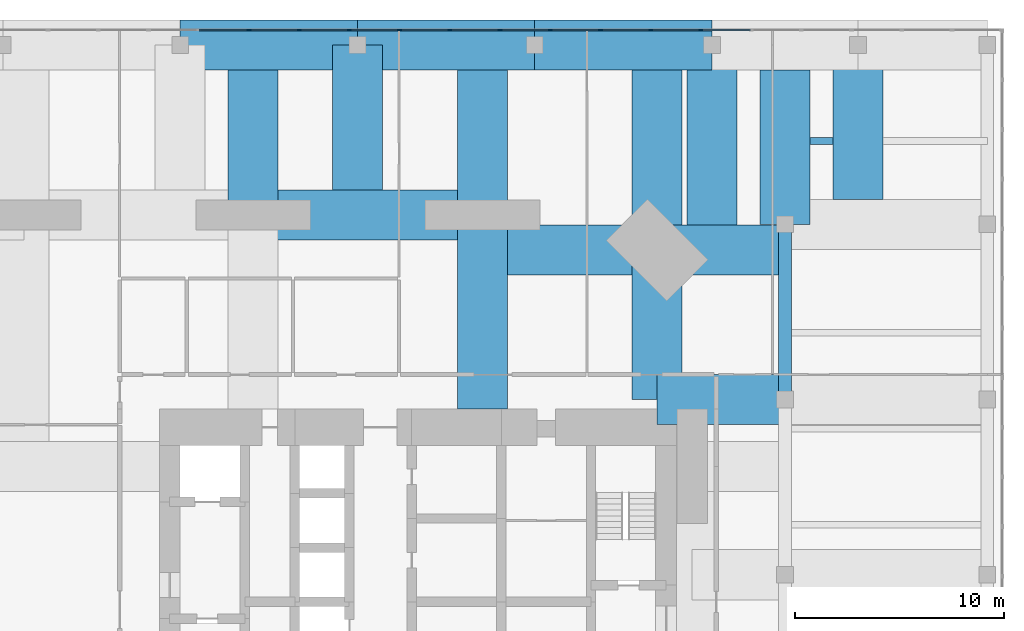
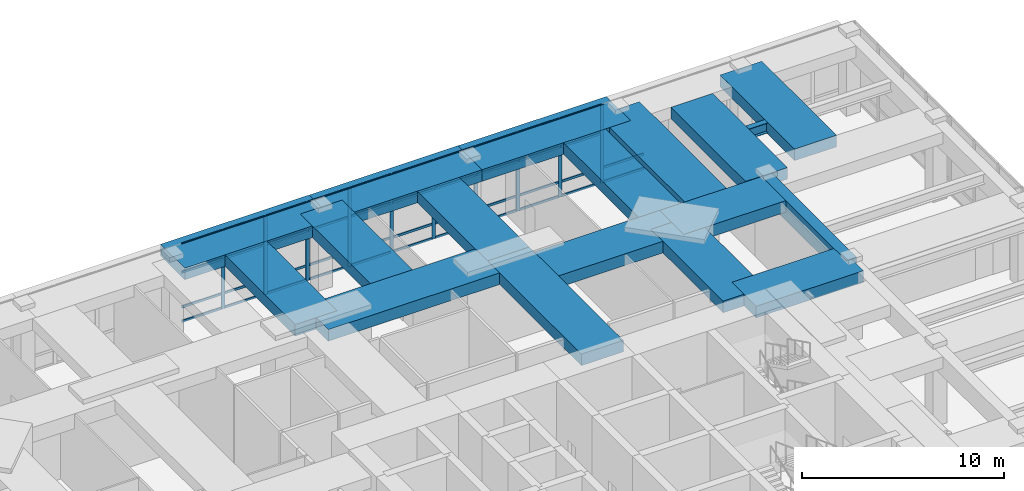
# One storey, part 9 of 24: 52 members, 18 beams, 1 element without a shape of its own.
"""IFC4 building model written with IfcOpenShell, lengths in metres."""

import ifcopenshell
import ifcopenshell.guid

model = None  # the IFC model being written
_history = None  # IfcOwnerHistory: only IFC2X3 demands one
_inside = {}  # id of a spatial element -> (the spatial element, [elements in it])
_under = {}  # id of a project, library or spatial element -> (it, [spatial elements below it])
_declared = {}  # id of a project -> (the project, [libraries it declares])
_typed = {}  # id of a type object -> (the type object, [elements of that type])
_made_of = {}  # id of a material, layer set ... -> (it, [elements and type objects made of it])


def new_model(schema):
    """Start an empty IFC model of exactly this schema.

    Asked for "IFC4X3", IfcOpenShell would pick the latest addendum, in which some entities
    have other attributes; the version numbers below select the first issue.
    IFC2X3 requires an IfcOwnerHistory on every rooted entity: one is made here for all.
    """
    global model, _history
    if schema == "IFC4X3":
        model = ifcopenshell.file(schema_version=(4, 3, 0, 0))
    else:
        model = ifcopenshell.file(schema=schema)
    _inside.clear()
    _under.clear()
    _declared.clear()
    _typed.clear()
    _made_of.clear()
    _history = None
    if model.schema == "IFC2X3":
        org = make("IfcOrganization", Name="unknown")
        user = make(
            "IfcPersonAndOrganization",
            ThePerson=make("IfcPerson", FamilyName="unknown"),
            TheOrganization=org,
        )
        app = make(
            "IfcApplication",
            ApplicationDeveloper=org,
            Version="unknown",
            ApplicationFullName="unknown",
            ApplicationIdentifier="unknown",
        )
        _history = make(
            "IfcOwnerHistory",
            OwningUser=user,
            OwningApplication=app,
            ChangeAction="ADDED",
            CreationDate=0,
        )
    return model


def make(cls, **values):
    """One entity of the class cls with the attributes given. An attribute that is None is left unset."""
    return model.create_entity(
        cls, **{name: value for name, value in values.items() if value is not None}
    )


def rooted(cls, **values):
    """An entity with a GlobalId (a new one), such as an element, a storey or a relation."""
    return make(cls, GlobalId=ifcopenshell.guid.new(), OwnerHistory=_history, **values)


def si_unit(unit_type, name, prefix=None):
    """IfcSIUnit, for example si_unit("LENGTHUNIT", "METRE", prefix="MILLI")."""
    return make("IfcSIUnit", UnitType=unit_type, Prefix=prefix, Name=name)


def assignment(units):
    """IfcUnitAssignment: the units of a project."""
    return None if units is None else make("IfcUnitAssignment", Units=units)


def point(xyz):
    """IfcCartesianPoint."""
    return None if xyz is None else make("IfcCartesianPoint", Coordinates=xyz)


def direction(xyz):
    """IfcDirection."""
    return None if xyz is None else make("IfcDirection", DirectionRatios=xyz)


def frame(location, z_axis=None, x_axis=None):
    """IfcAxis2Placement3D, a coordinate frame: its origin and axes. An axis left out is left unset."""
    return make(
        "IfcAxis2Placement3D",
        Location=point(location),
        Axis=direction(z_axis),
        RefDirection=direction(x_axis),
    )


def frame_2d(location, x_axis=None):
    """IfcAxis2Placement2D, a coordinate frame in the plane: its origin and x axis."""
    return make(
        "IfcAxis2Placement2D", Location=point(location), RefDirection=direction(x_axis)
    )


def origin():
    """The frame at (0, 0, 0) with its axes left unset."""
    return frame((0.0, 0.0, 0.0))


def origin_2d():
    """The frame at (0, 0) in the plane with its x axis left unset."""
    return frame_2d((0.0, 0.0))


def place(relative_to, where):
    """IfcLocalPlacement: puts the frame where relative to a parent placement (None: the world)."""
    return make(
        "IfcLocalPlacement", PlacementRelTo=relative_to, RelativePlacement=where
    )


def context(
    kind, dimensions, precision=None, world=None, true_north=None, identifier=None
):
    """IfcGeometricRepresentationContext, for example the 3D "Model" context."""
    return make(
        "IfcGeometricRepresentationContext",
        ContextIdentifier=identifier,
        ContextType=kind,
        CoordinateSpaceDimension=dimensions,
        Precision=precision,
        WorldCoordinateSystem=world,
        TrueNorth=true_north,
    )


def subcontext(parent, identifier, kind, view, scale=None):
    """IfcGeometricRepresentationSubContext, for example "Body" below "Model"."""
    return make(
        "IfcGeometricRepresentationSubContext",
        ContextIdentifier=identifier,
        ContextType=kind,
        ParentContext=parent,
        TargetScale=scale,
        TargetView=view,
    )


def project(units=None, contexts=None):
    """IfcProject with its units and contexts."""
    return rooted(
        "IfcProject",
        Name="project",
        RepresentationContexts=contexts,
        UnitsInContext=assignment(units),
    )


def spatial(cls, under=None, at=None, **own):
    """A site, building, storey or space (cls), placed at a placement, below another one or the project."""
    s = rooted(cls, ObjectPlacement=at, **own)
    if under is not None:
        _under.setdefault(under.id(), (under, []))[1].append(s)
    return s


def profile(cls, at=None, kind="AREA", **sizes):
    """A parametric profile (cls). Its sizes go by their IFC names, for example OverallWidth=200.0."""
    return make(cls, ProfileType=kind, Position=at, **sizes)


def rectangle(**sizes):
    """IfcRectangleProfileDef."""
    return profile("IfcRectangleProfileDef", **sizes)


def i_section(**sizes):
    """IfcIShapeProfileDef."""
    return profile("IfcIShapeProfileDef", **sizes)


def extrude(swept, where, along, depth):
    """IfcExtrudedAreaSolid: the profile swept, set in the frame where, extruded along a direction by depth."""
    return make(
        "IfcExtrudedAreaSolid",
        SweptArea=swept,
        Position=where,
        ExtrudedDirection=direction(along),
        Depth=depth,
    )


def shape(context_of_items, identifier, shape_type, items):
    """IfcShapeRepresentation: the items that make up one representation, for example the "Body"."""
    return make(
        "IfcShapeRepresentation",
        ContextOfItems=context_of_items,
        RepresentationIdentifier=identifier,
        RepresentationType=shape_type,
        Items=items,
    )


def material(Name=None, Category=None):
    """IfcMaterial."""
    return make("IfcMaterial", Name=Name, Category=Category)


def material_profile(
    of_material, cross_section, Name=None, Category=None, Priority=None
):
    """IfcMaterialProfile: a cross section and its material."""
    return make(
        "IfcMaterialProfile",
        Name=Name,
        Material=of_material,
        Profile=cross_section,
        Priority=Priority,
        Category=Category,
    )


def profile_set(profiles, Name=None, composite=None):
    """IfcMaterialProfileSet."""
    return make(
        "IfcMaterialProfileSet",
        Name=Name,
        MaterialProfiles=profiles,
        CompositeProfile=composite,
    )


def made_of(thing, what):
    """Note that an element or type object is made of a material, layer set ...; save() writes the relation."""
    if what is not None:
        _made_of.setdefault(what.id(), (what, []))[1].append(thing)
    return thing


def type_object(cls, material=None, **own):
    """A type object (cls), such as IfcWallType, which elements share."""
    return made_of(rooted(cls, **own), material)


def element(
    cls,
    number,
    at=None,
    inside=None,
    cuts=None,
    type_object=None,
    material=None,
    context=None,
    identifier="Body",
    shape_type=None,
    held_by="IfcProductDefinitionShape",
    body=None,
    shapes=None,
    **own,
):
    """One element of the class cls, such as IfcWall. Its Tag is "e" and its number.

    at: its placement. inside: the storey or other place that contains it. cuts: it is an
    opening in that element (IfcRelVoidsElement). A single representation is given by context,
    identifier, shape_type and body (its items); several are given by shapes. held_by: the class
    of the entity that holds the representations. save() writes the other relations.
    """
    e = rooted(cls, Tag="e%d" % number, ObjectPlacement=at, **own)
    if body is not None:
        shapes = [shape(context, identifier, shape_type, body)]
    if shapes is not None:
        e.Representation = make(held_by, Representations=shapes)
    if inside is not None:
        _inside.setdefault(inside.id(), (inside, []))[1].append(e)
    if cuts is not None:
        rooted(
            "IfcRelVoidsElement", RelatingBuildingElement=cuts, RelatedOpeningElement=e
        )
    if type_object is not None:
        _typed.setdefault(type_object.id(), (type_object, []))[1].append(e)
    return made_of(e, material)


def aggregate(whole, parts):
    """IfcRelAggregates: a whole, such as a stair, and the parts it consists of."""
    return rooted("IfcRelAggregates", RelatingObject=whole, RelatedObjects=parts)


def save(model, path):
    """Write the relations noted so far, then the file.

    IfcRelAggregates (storeys below a building ...), IfcRelContainedInSpatialStructure (elements
    in a storey), IfcRelDefinesByType, IfcRelAssociatesMaterial and IfcRelDeclares: one each for
    every whole, place, type object, material and project.
    """
    for whole, parts in _under.values():
        aggregate(whole, parts)
    for where, things in _inside.values():
        rooted(
            "IfcRelContainedInSpatialStructure",
            RelatedElements=things,
            RelatingStructure=where,
        )
    for kind, things in _typed.values():
        rooted("IfcRelDefinesByType", RelatedObjects=things, RelatingType=kind)
    for what, things in _made_of.values():
        rooted("IfcRelAssociatesMaterial", RelatedObjects=things, RelatingMaterial=what)
    for by, libraries in _declared.values():
        rooted("IfcRelDeclares", RelatingContext=by, RelatedDefinitions=libraries)
    model.write(path)


model = new_model("IFC4")

# Units and contexts
model_context = context("Model", 3, precision=1e-05, world=origin(), true_north=direction((0.0, 1.0)))
body_context = subcontext(model_context, "Body", "Model", "MODEL_VIEW")
ifc_project = project(units=[si_unit("LENGTHUNIT", "METRE"), si_unit("AREAUNIT", "SQUARE_METRE"), si_unit("VOLUMEUNIT", "CUBIC_METRE"), si_unit("PLANEANGLEUNIT", "RADIAN"), si_unit("MASSUNIT", "GRAM", prefix="KILO")], contexts=[model_context])

# Site, building, storey
site_placement = place(None, origin())
site = spatial("IfcSite", under=ifc_project, at=site_placement, CompositionType="ELEMENT")
building_placement = place(site_placement, origin())
building = spatial("IfcBuilding", under=site, at=building_placement, Name="Jalousie Tower", CompositionType="ELEMENT")
storey_placement = place(building_placement, frame((0.0, 0.0, 11.0)))
storey = spatial("IfcBuildingStorey", under=building, at=storey_placement, Name="L02", CompositionType="ELEMENT", Elevation=11.0)

# Beam
ifc_material_1 = material(Name="Steel ASTM A992 Grade 50", Category="steel")
ifc_material_profile_1 = material_profile(ifc_material_1, i_section(OverallWidth=0.3251953125, OverallDepth=0.612060546875, WebThickness=0.0126953125, FlangeThickness=0.01904296875, at=origin_2d()), Name="W24X104")
ifc_profile_set_1 = profile_set([ifc_material_profile_1], Name="Steel ASTM A992 Grade 50")
beam_type_1 = type_object("IfcBeamType", Name="PLANT FLOOR BEAM W24X104", PredefinedType="BEAM", material=ifc_profile_set_1)
beam_1_placement = place(storey_placement, frame((50.699951171875, 40.60009765625, 4.413818359375), z_axis=(1.0, 0.0, 0.0), x_axis=(0.0, 1.0, 0.0)))
element("IfcBeam", 1, at=beam_1_placement, inside=storey, type_object=beam_type_1, Name="Plant floor beam under Air handling plant room L03", PredefinedType="BEAM", context=body_context, shape_type="SweptSolid", body=[
    extrude(i_section(OverallWidth=0.3251953125, OverallDepth=0.612060546875, WebThickness=0.0126953125, FlangeThickness=0.01904296875, at=origin_2d()), origin(), (0.0, 0.0, 1.0), 1.10009765625),
])

# Curtain wall, members
ifc_material_2 = material(Name="Aluminium curtain wall", Category="aluminium")
curtain_wall_type = type_object("IfcCurtainWallType", Name="PODIUM WINDOW WALL", PredefinedType="USERDEFINED", material=ifc_material_2)
curtain_wall_placement = place(storey_placement, origin())
curtain_wall = element("IfcCurtainWall", 2, at=curtain_wall_placement, inside=storey, type_object=curtain_wall_type, Name="Podium Window Wall L02 21", ObjectType="PODIUM WINDOW WALL", PredefinedType="USERDEFINED")
ifc_material_3 = material(Name="Aluminium mullion", Category="aluminium")
ifc_material_profile_2 = material_profile(ifc_material_3, rectangle(XDim=0.070068359375, YDim=0.199951171875, at=origin_2d()), Name="MULLION 70x200")
ifc_profile_set_2 = profile_set([ifc_material_profile_2], Name="Aluminium mullion")
member_type_1 = type_object("IfcMemberType", Name="PODIUM WINDOW WALL MULLION", PredefinedType="MULLION", material=ifc_profile_set_2)
member_1_placement = place(storey_placement, frame((45.466064453125, 45.91259765625, 0.0), z_axis=(0.0, 0.0, 1.0), x_axis=(0.0, -1.0, 0.0)))
member_1 = element("IfcMember", 3, at=member_1_placement, type_object=member_type_1, Name="CW-P mullion 7", PredefinedType="MULLION", context=body_context, shape_type="SweptSolid", body=[
    extrude(rectangle(XDim=0.070068359375, YDim=0.199951171875, at=origin_2d()), origin(), (0.0, 0.0, 1.0), 4.719970703125),
])
member_2_placement = place(storey_placement, frame((43.05810546875, 45.91259765625, 0.0), z_axis=(0.0, 0.0, 1.0), x_axis=(0.0, -1.0, 0.0)))
member_2 = element("IfcMember", 4, at=member_2_placement, type_object=member_type_1, Name="CW-P mullion 8", PredefinedType="MULLION", context=body_context, shape_type="SweptSolid", body=[
    extrude(rectangle(XDim=0.070068359375, YDim=0.199951171875, at=origin_2d()), origin(), (0.0, 0.0, 1.0), 4.719970703125),
])
member_3_placement = place(storey_placement, frame((40.650390625, 45.91259765625, 0.0), z_axis=(0.0, 0.0, 1.0), x_axis=(0.0, -1.0, 0.0)))
member_3 = element("IfcMember", 5, at=member_3_placement, type_object=member_type_1, Name="CW-P mullion 9", PredefinedType="MULLION", context=body_context, shape_type="SweptSolid", body=[
    extrude(rectangle(XDim=0.070068359375, YDim=0.199951171875, at=origin_2d()), origin(), (0.0, 0.0, 1.0), 4.719970703125),
])
member_4_placement = place(storey_placement, frame((38.24267578125, 45.91259765625, 0.0), z_axis=(0.0, 0.0, 1.0), x_axis=(0.0, -1.0, 0.0)))
member_4 = element("IfcMember", 6, at=member_4_placement, type_object=member_type_1, Name="CW-P mullion 10", PredefinedType="MULLION", context=body_context, shape_type="SweptSolid", body=[
    extrude(rectangle(XDim=0.070068359375, YDim=0.199951171875, at=origin_2d()), origin(), (0.0, 0.0, 1.0), 4.719970703125),
])
member_5_placement = place(storey_placement, frame((35.8349609375, 45.91259765625, 0.0), z_axis=(0.0, 0.0, 1.0), x_axis=(0.0, -1.0, 0.0)))
member_5 = element("IfcMember", 7, at=member_5_placement, type_object=member_type_1, Name="CW-P mullion 11", PredefinedType="MULLION", context=body_context, shape_type="SweptSolid", body=[
    extrude(rectangle(XDim=0.070068359375, YDim=0.199951171875, at=origin_2d()), origin(), (0.0, 0.0, 1.0), 4.719970703125),
])
member_6_placement = place(storey_placement, frame((33.42724609375, 45.91259765625, 0.0), z_axis=(0.0, 0.0, 1.0), x_axis=(0.0, -1.0, 0.0)))
member_6 = element("IfcMember", 8, at=member_6_placement, type_object=member_type_1, Name="CW-P mullion 12", PredefinedType="MULLION", context=body_context, shape_type="SweptSolid", body=[
    extrude(rectangle(XDim=0.070068359375, YDim=0.199951171875, at=origin_2d()), origin(), (0.0, 0.0, 1.0), 4.719970703125),
])
member_7_placement = place(storey_placement, frame((31.019287109375, 45.91259765625, 0.0), z_axis=(0.0, 0.0, 1.0), x_axis=(0.0, -1.0, 0.0)))
member_7 = element("IfcMember", 9, at=member_7_placement, type_object=member_type_1, Name="CW-P mullion 13", PredefinedType="MULLION", context=body_context, shape_type="SweptSolid", body=[
    extrude(rectangle(XDim=0.070068359375, YDim=0.199951171875, at=origin_2d()), origin(), (0.0, 0.0, 1.0), 4.719970703125),
])
member_8_placement = place(storey_placement, frame((28.611572265625, 45.91259765625, 0.0), z_axis=(0.0, 0.0, 1.0), x_axis=(0.0, -1.0, 0.0)))
member_8 = element("IfcMember", 10, at=member_8_placement, type_object=member_type_1, Name="CW-P mullion 14", PredefinedType="MULLION", context=body_context, shape_type="SweptSolid", body=[
    extrude(rectangle(XDim=0.070068359375, YDim=0.199951171875, at=origin_2d()), origin(), (0.0, 0.0, 1.0), 4.719970703125),
])
member_9_placement = place(storey_placement, frame((26.203857421875, 45.91259765625, 0.0), z_axis=(0.0, 0.0, 1.0), x_axis=(0.0, -1.0, 0.0)))
member_9 = element("IfcMember", 11, at=member_9_placement, type_object=member_type_1, Name="CW-P mullion 15", PredefinedType="MULLION", context=body_context, shape_type="SweptSolid", body=[
    extrude(rectangle(XDim=0.070068359375, YDim=0.199951171875, at=origin_2d()), origin(), (0.0, 0.0, 1.0), 4.719970703125),
])
member_10_placement = place(storey_placement, frame((23.796142578125, 45.91259765625, 0.0), z_axis=(0.0, 0.0, 1.0), x_axis=(0.0, -1.0, 0.0)))
member_10 = element("IfcMember", 12, at=member_10_placement, type_object=member_type_1, Name="CW-P mullion 16", PredefinedType="MULLION", context=body_context, shape_type="SweptSolid", body=[
    extrude(rectangle(XDim=0.070068359375, YDim=0.199951171875, at=origin_2d()), origin(), (0.0, 0.0, 1.0), 4.719970703125),
])
ifc_material_4 = material(Name="Aluminium transom", Category="aluminium")
ifc_material_profile_3 = material_profile(ifc_material_4, rectangle(XDim=0.070068359375, YDim=0.139892578125, at=origin_2d()), Name="TRANSOM 70x140")
ifc_profile_set_3 = profile_set([ifc_material_profile_3], Name="Aluminium transom")
member_type_2 = type_object("IfcMemberType", Name="PODIUM WINDOW WALL TRANSOM", PredefinedType="USERDEFINED", material=ifc_profile_set_3)
member_11_placement = place(storey_placement, frame((47.838623046875, 45.91259765625, 0.034912109375), z_axis=(-1.0, 0.0, 0.0), x_axis=(0.0, -1.0, 0.0)))
member_11 = element("IfcMember", 13, at=member_11_placement, type_object=member_type_2, Name="CW-P transom 6.1", ObjectType="TRANSOM", PredefinedType="USERDEFINED", context=body_context, shape_type="SweptSolid", body=[
    extrude(rectangle(XDim=0.070068359375, YDim=0.139892578125, at=origin_2d()), origin(), (0.0, 0.0, 1.0), 2.337646484375),
])
member_12_placement = place(storey_placement, frame((47.838623046875, 45.91259765625, 0.89990234375), z_axis=(-1.0, 0.0, 0.0), x_axis=(0.0, -1.0, 0.0)))
member_12 = element("IfcMember", 14, at=member_12_placement, type_object=member_type_2, Name="CW-P transom 6.2", ObjectType="TRANSOM", PredefinedType="USERDEFINED", context=body_context, shape_type="SweptSolid", body=[
    extrude(rectangle(XDim=0.070068359375, YDim=0.139892578125, at=origin_2d()), origin(), (0.0, 0.0, 1.0), 2.337646484375),
])
member_13_placement = place(storey_placement, frame((45.430908203125, 45.91259765625, 0.034912109375), z_axis=(-1.0, 0.0, 0.0), x_axis=(0.0, -1.0, 0.0)))
member_13 = element("IfcMember", 15, at=member_13_placement, type_object=member_type_2, Name="CW-P transom 7.1", ObjectType="TRANSOM", PredefinedType="USERDEFINED", context=body_context, shape_type="SweptSolid", body=[
    extrude(rectangle(XDim=0.070068359375, YDim=0.139892578125, at=origin_2d()), origin(), (0.0, 0.0, 1.0), 2.337646484375),
])
member_14_placement = place(storey_placement, frame((45.430908203125, 45.91259765625, 0.89990234375), z_axis=(-1.0, 0.0, 0.0), x_axis=(0.0, -1.0, 0.0)))
member_14 = element("IfcMember", 16, at=member_14_placement, type_object=member_type_2, Name="CW-P transom 7.2", ObjectType="TRANSOM", PredefinedType="USERDEFINED", context=body_context, shape_type="SweptSolid", body=[
    extrude(rectangle(XDim=0.070068359375, YDim=0.139892578125, at=origin_2d()), origin(), (0.0, 0.0, 1.0), 2.337646484375),
])
member_15_placement = place(storey_placement, frame((45.430908203125, 45.91259765625, 3.0), z_axis=(-1.0, 0.0, 0.0), x_axis=(0.0, -1.0, 0.0)))
member_15 = element("IfcMember", 17, at=member_15_placement, type_object=member_type_2, Name="CW-P transom 7.3", ObjectType="TRANSOM", PredefinedType="USERDEFINED", context=body_context, shape_type="SweptSolid", body=[
    extrude(rectangle(XDim=0.070068359375, YDim=0.139892578125, at=origin_2d()), origin(), (0.0, 0.0, 1.0), 2.337646484375),
])
member_16_placement = place(storey_placement, frame((45.430908203125, 45.91259765625, 4.68505859375), z_axis=(-1.0, 0.0, 0.0), x_axis=(0.0, -1.0, 0.0)))
member_16 = element("IfcMember", 18, at=member_16_placement, type_object=member_type_2, Name="CW-P transom 7.4", ObjectType="TRANSOM", PredefinedType="USERDEFINED", context=body_context, shape_type="SweptSolid", body=[
    extrude(rectangle(XDim=0.070068359375, YDim=0.139892578125, at=origin_2d()), origin(), (0.0, 0.0, 1.0), 2.337646484375),
])
member_17_placement = place(storey_placement, frame((43.023193359375, 45.91259765625, 0.034912109375), z_axis=(-1.0, 0.0, 0.0), x_axis=(0.0, -1.0, 0.0)))
member_17 = element("IfcMember", 19, at=member_17_placement, type_object=member_type_2, Name="CW-P transom 8.1", ObjectType="TRANSOM", PredefinedType="USERDEFINED", context=body_context, shape_type="SweptSolid", body=[
    extrude(rectangle(XDim=0.070068359375, YDim=0.139892578125, at=origin_2d()), origin(), (0.0, 0.0, 1.0), 2.337646484375),
])
member_18_placement = place(storey_placement, frame((43.023193359375, 45.91259765625, 0.89990234375), z_axis=(-1.0, 0.0, 0.0), x_axis=(0.0, -1.0, 0.0)))
member_18 = element("IfcMember", 20, at=member_18_placement, type_object=member_type_2, Name="CW-P transom 8.2", ObjectType="TRANSOM", PredefinedType="USERDEFINED", context=body_context, shape_type="SweptSolid", body=[
    extrude(rectangle(XDim=0.070068359375, YDim=0.139892578125, at=origin_2d()), origin(), (0.0, 0.0, 1.0), 2.337646484375),
])
member_19_placement = place(storey_placement, frame((43.023193359375, 45.91259765625, 3.0), z_axis=(-1.0, 0.0, 0.0), x_axis=(0.0, -1.0, 0.0)))
member_19 = element("IfcMember", 21, at=member_19_placement, type_object=member_type_2, Name="CW-P transom 8.3", ObjectType="TRANSOM", PredefinedType="USERDEFINED", context=body_context, shape_type="SweptSolid", body=[
    extrude(rectangle(XDim=0.070068359375, YDim=0.139892578125, at=origin_2d()), origin(), (0.0, 0.0, 1.0), 2.337646484375),
])
member_20_placement = place(storey_placement, frame((43.023193359375, 45.91259765625, 4.68505859375), z_axis=(-1.0, 0.0, 0.0), x_axis=(0.0, -1.0, 0.0)))
member_20 = element("IfcMember", 22, at=member_20_placement, type_object=member_type_2, Name="CW-P transom 8.4", ObjectType="TRANSOM", PredefinedType="USERDEFINED", context=body_context, shape_type="SweptSolid", body=[
    extrude(rectangle(XDim=0.070068359375, YDim=0.139892578125, at=origin_2d()), origin(), (0.0, 0.0, 1.0), 2.337646484375),
])
member_21_placement = place(storey_placement, frame((40.615478515625, 45.91259765625, 0.034912109375), z_axis=(-1.0, 0.0, 0.0), x_axis=(0.0, -1.0, 0.0)))
member_21 = element("IfcMember", 23, at=member_21_placement, type_object=member_type_2, Name="CW-P transom 9.1", ObjectType="TRANSOM", PredefinedType="USERDEFINED", context=body_context, shape_type="SweptSolid", body=[
    extrude(rectangle(XDim=0.070068359375, YDim=0.139892578125, at=origin_2d()), origin(), (0.0, 0.0, 1.0), 2.337890625),
])
member_22_placement = place(storey_placement, frame((40.615478515625, 45.91259765625, 0.89990234375), z_axis=(-1.0, 0.0, 0.0), x_axis=(0.0, -1.0, 0.0)))
member_22 = element("IfcMember", 24, at=member_22_placement, type_object=member_type_2, Name="CW-P transom 9.2", ObjectType="TRANSOM", PredefinedType="USERDEFINED", context=body_context, shape_type="SweptSolid", body=[
    extrude(rectangle(XDim=0.070068359375, YDim=0.139892578125, at=origin_2d()), origin(), (0.0, 0.0, 1.0), 2.337890625),
])
member_23_placement = place(storey_placement, frame((40.615478515625, 45.91259765625, 3.0), z_axis=(-1.0, 0.0, 0.0), x_axis=(0.0, -1.0, 0.0)))
member_23 = element("IfcMember", 25, at=member_23_placement, type_object=member_type_2, Name="CW-P transom 9.3", ObjectType="TRANSOM", PredefinedType="USERDEFINED", context=body_context, shape_type="SweptSolid", body=[
    extrude(rectangle(XDim=0.070068359375, YDim=0.139892578125, at=origin_2d()), origin(), (0.0, 0.0, 1.0), 2.337890625),
])
member_24_placement = place(storey_placement, frame((40.615478515625, 45.91259765625, 4.68505859375), z_axis=(-1.0, 0.0, 0.0), x_axis=(0.0, -1.0, 0.0)))
member_24 = element("IfcMember", 26, at=member_24_placement, type_object=member_type_2, Name="CW-P transom 9.4", ObjectType="TRANSOM", PredefinedType="USERDEFINED", context=body_context, shape_type="SweptSolid", body=[
    extrude(rectangle(XDim=0.070068359375, YDim=0.139892578125, at=origin_2d()), origin(), (0.0, 0.0, 1.0), 2.337890625),
])
member_25_placement = place(storey_placement, frame((38.207763671875, 45.91259765625, 0.034912109375), z_axis=(-1.0, 0.0, 0.0), x_axis=(0.0, -1.0, 0.0)))
member_25 = element("IfcMember", 27, at=member_25_placement, type_object=member_type_2, Name="CW-P transom 10.1", ObjectType="TRANSOM", PredefinedType="USERDEFINED", context=body_context, shape_type="SweptSolid", body=[
    extrude(rectangle(XDim=0.070068359375, YDim=0.139892578125, at=origin_2d()), origin(), (0.0, 0.0, 1.0), 2.337890625),
])
member_26_placement = place(storey_placement, frame((38.207763671875, 45.91259765625, 0.89990234375), z_axis=(-1.0, 0.0, 0.0), x_axis=(0.0, -1.0, 0.0)))
member_26 = element("IfcMember", 28, at=member_26_placement, type_object=member_type_2, Name="CW-P transom 10.2", ObjectType="TRANSOM", PredefinedType="USERDEFINED", context=body_context, shape_type="SweptSolid", body=[
    extrude(rectangle(XDim=0.070068359375, YDim=0.139892578125, at=origin_2d()), origin(), (0.0, 0.0, 1.0), 2.337890625),
])
member_27_placement = place(storey_placement, frame((38.207763671875, 45.91259765625, 3.0), z_axis=(-1.0, 0.0, 0.0), x_axis=(0.0, -1.0, 0.0)))
member_27 = element("IfcMember", 29, at=member_27_placement, type_object=member_type_2, Name="CW-P transom 10.3", ObjectType="TRANSOM", PredefinedType="USERDEFINED", context=body_context, shape_type="SweptSolid", body=[
    extrude(rectangle(XDim=0.070068359375, YDim=0.139892578125, at=origin_2d()), origin(), (0.0, 0.0, 1.0), 2.337890625),
])
member_28_placement = place(storey_placement, frame((38.207763671875, 45.91259765625, 4.68505859375), z_axis=(-1.0, 0.0, 0.0), x_axis=(0.0, -1.0, 0.0)))
member_28 = element("IfcMember", 30, at=member_28_placement, type_object=member_type_2, Name="CW-P transom 10.4", ObjectType="TRANSOM", PredefinedType="USERDEFINED", context=body_context, shape_type="SweptSolid", body=[
    extrude(rectangle(XDim=0.070068359375, YDim=0.139892578125, at=origin_2d()), origin(), (0.0, 0.0, 1.0), 2.337890625),
])
member_29_placement = place(storey_placement, frame((35.7998046875, 45.91259765625, 0.034912109375), z_axis=(-1.0, 0.0, 0.0), x_axis=(0.0, -1.0, 0.0)))
member_29 = element("IfcMember", 31, at=member_29_placement, type_object=member_type_2, Name="CW-P transom 11.1", ObjectType="TRANSOM", PredefinedType="USERDEFINED", context=body_context, shape_type="SweptSolid", body=[
    extrude(rectangle(XDim=0.070068359375, YDim=0.139892578125, at=origin_2d()), origin(), (0.0, 0.0, 1.0), 2.337646484375),
])
member_30_placement = place(storey_placement, frame((35.7998046875, 45.91259765625, 0.89990234375), z_axis=(-1.0, 0.0, 0.0), x_axis=(0.0, -1.0, 0.0)))
member_30 = element("IfcMember", 32, at=member_30_placement, type_object=member_type_2, Name="CW-P transom 11.2", ObjectType="TRANSOM", PredefinedType="USERDEFINED", context=body_context, shape_type="SweptSolid", body=[
    extrude(rectangle(XDim=0.070068359375, YDim=0.139892578125, at=origin_2d()), origin(), (0.0, 0.0, 1.0), 2.337646484375),
])
member_31_placement = place(storey_placement, frame((35.7998046875, 45.91259765625, 3.0), z_axis=(-1.0, 0.0, 0.0), x_axis=(0.0, -1.0, 0.0)))
member_31 = element("IfcMember", 33, at=member_31_placement, type_object=member_type_2, Name="CW-P transom 11.3", ObjectType="TRANSOM", PredefinedType="USERDEFINED", context=body_context, shape_type="SweptSolid", body=[
    extrude(rectangle(XDim=0.070068359375, YDim=0.139892578125, at=origin_2d()), origin(), (0.0, 0.0, 1.0), 2.337646484375),
])
member_32_placement = place(storey_placement, frame((35.7998046875, 45.91259765625, 4.68505859375), z_axis=(-1.0, 0.0, 0.0), x_axis=(0.0, -1.0, 0.0)))
member_32 = element("IfcMember", 34, at=member_32_placement, type_object=member_type_2, Name="CW-P transom 11.4", ObjectType="TRANSOM", PredefinedType="USERDEFINED", context=body_context, shape_type="SweptSolid", body=[
    extrude(rectangle(XDim=0.070068359375, YDim=0.139892578125, at=origin_2d()), origin(), (0.0, 0.0, 1.0), 2.337646484375),
])
member_33_placement = place(storey_placement, frame((33.39208984375, 45.91259765625, 0.034912109375), z_axis=(-1.0, 0.0, 0.0), x_axis=(0.0, -1.0, 0.0)))
member_33 = element("IfcMember", 35, at=member_33_placement, type_object=member_type_2, Name="CW-P transom 12.1", ObjectType="TRANSOM", PredefinedType="USERDEFINED", context=body_context, shape_type="SweptSolid", body=[
    extrude(rectangle(XDim=0.070068359375, YDim=0.139892578125, at=origin_2d()), origin(), (0.0, 0.0, 1.0), 2.337646484375),
])
member_34_placement = place(storey_placement, frame((33.39208984375, 45.91259765625, 0.89990234375), z_axis=(-1.0, 0.0, 0.0), x_axis=(0.0, -1.0, 0.0)))
member_34 = element("IfcMember", 36, at=member_34_placement, type_object=member_type_2, Name="CW-P transom 12.2", ObjectType="TRANSOM", PredefinedType="USERDEFINED", context=body_context, shape_type="SweptSolid", body=[
    extrude(rectangle(XDim=0.070068359375, YDim=0.139892578125, at=origin_2d()), origin(), (0.0, 0.0, 1.0), 2.337646484375),
])
member_35_placement = place(storey_placement, frame((33.39208984375, 45.91259765625, 3.0), z_axis=(-1.0, 0.0, 0.0), x_axis=(0.0, -1.0, 0.0)))
member_35 = element("IfcMember", 37, at=member_35_placement, type_object=member_type_2, Name="CW-P transom 12.3", ObjectType="TRANSOM", PredefinedType="USERDEFINED", context=body_context, shape_type="SweptSolid", body=[
    extrude(rectangle(XDim=0.070068359375, YDim=0.139892578125, at=origin_2d()), origin(), (0.0, 0.0, 1.0), 2.337646484375),
])
member_36_placement = place(storey_placement, frame((33.39208984375, 45.91259765625, 4.68505859375), z_axis=(-1.0, 0.0, 0.0), x_axis=(0.0, -1.0, 0.0)))
member_36 = element("IfcMember", 38, at=member_36_placement, type_object=member_type_2, Name="CW-P transom 12.4", ObjectType="TRANSOM", PredefinedType="USERDEFINED", context=body_context, shape_type="SweptSolid", body=[
    extrude(rectangle(XDim=0.070068359375, YDim=0.139892578125, at=origin_2d()), origin(), (0.0, 0.0, 1.0), 2.337646484375),
])
member_37_placement = place(storey_placement, frame((30.984375, 45.91259765625, 0.034912109375), z_axis=(-1.0, 0.0, 0.0), x_axis=(0.0, -1.0, 0.0)))
member_37 = element("IfcMember", 39, at=member_37_placement, type_object=member_type_2, Name="CW-P transom 13.1", ObjectType="TRANSOM", PredefinedType="USERDEFINED", context=body_context, shape_type="SweptSolid", body=[
    extrude(rectangle(XDim=0.070068359375, YDim=0.139892578125, at=origin_2d()), origin(), (0.0, 0.0, 1.0), 2.337646484375),
])
member_38_placement = place(storey_placement, frame((30.984375, 45.91259765625, 0.89990234375), z_axis=(-1.0, 0.0, 0.0), x_axis=(0.0, -1.0, 0.0)))
member_38 = element("IfcMember", 40, at=member_38_placement, type_object=member_type_2, Name="CW-P transom 13.2", ObjectType="TRANSOM", PredefinedType="USERDEFINED", context=body_context, shape_type="SweptSolid", body=[
    extrude(rectangle(XDim=0.070068359375, YDim=0.139892578125, at=origin_2d()), origin(), (0.0, 0.0, 1.0), 2.337646484375),
])
member_39_placement = place(storey_placement, frame((30.984375, 45.91259765625, 3.0), z_axis=(-1.0, 0.0, 0.0), x_axis=(0.0, -1.0, 0.0)))
member_39 = element("IfcMember", 41, at=member_39_placement, type_object=member_type_2, Name="CW-P transom 13.3", ObjectType="TRANSOM", PredefinedType="USERDEFINED", context=body_context, shape_type="SweptSolid", body=[
    extrude(rectangle(XDim=0.070068359375, YDim=0.139892578125, at=origin_2d()), origin(), (0.0, 0.0, 1.0), 2.337646484375),
])
member_40_placement = place(storey_placement, frame((30.984375, 45.91259765625, 4.68505859375), z_axis=(-1.0, 0.0, 0.0), x_axis=(0.0, -1.0, 0.0)))
member_40 = element("IfcMember", 42, at=member_40_placement, type_object=member_type_2, Name="CW-P transom 13.4", ObjectType="TRANSOM", PredefinedType="USERDEFINED", context=body_context, shape_type="SweptSolid", body=[
    extrude(rectangle(XDim=0.070068359375, YDim=0.139892578125, at=origin_2d()), origin(), (0.0, 0.0, 1.0), 2.337646484375),
])
member_41_placement = place(storey_placement, frame((28.57666015625, 45.91259765625, 0.034912109375), z_axis=(-1.0, 0.0, 0.0), x_axis=(0.0, -1.0, 0.0)))
member_41 = element("IfcMember", 43, at=member_41_placement, type_object=member_type_2, Name="CW-P transom 14.1", ObjectType="TRANSOM", PredefinedType="USERDEFINED", context=body_context, shape_type="SweptSolid", body=[
    extrude(rectangle(XDim=0.070068359375, YDim=0.139892578125, at=origin_2d()), origin(), (0.0, 0.0, 1.0), 2.337890625),
])
member_42_placement = place(storey_placement, frame((28.57666015625, 45.91259765625, 0.89990234375), z_axis=(-1.0, 0.0, 0.0), x_axis=(0.0, -1.0, 0.0)))
member_42 = element("IfcMember", 44, at=member_42_placement, type_object=member_type_2, Name="CW-P transom 14.2", ObjectType="TRANSOM", PredefinedType="USERDEFINED", context=body_context, shape_type="SweptSolid", body=[
    extrude(rectangle(XDim=0.070068359375, YDim=0.139892578125, at=origin_2d()), origin(), (0.0, 0.0, 1.0), 2.337890625),
])
member_43_placement = place(storey_placement, frame((28.57666015625, 45.91259765625, 3.0), z_axis=(-1.0, 0.0, 0.0), x_axis=(0.0, -1.0, 0.0)))
member_43 = element("IfcMember", 45, at=member_43_placement, type_object=member_type_2, Name="CW-P transom 14.3", ObjectType="TRANSOM", PredefinedType="USERDEFINED", context=body_context, shape_type="SweptSolid", body=[
    extrude(rectangle(XDim=0.070068359375, YDim=0.139892578125, at=origin_2d()), origin(), (0.0, 0.0, 1.0), 2.337890625),
])
member_44_placement = place(storey_placement, frame((28.57666015625, 45.91259765625, 4.68505859375), z_axis=(-1.0, 0.0, 0.0), x_axis=(0.0, -1.0, 0.0)))
member_44 = element("IfcMember", 46, at=member_44_placement, type_object=member_type_2, Name="CW-P transom 14.4", ObjectType="TRANSOM", PredefinedType="USERDEFINED", context=body_context, shape_type="SweptSolid", body=[
    extrude(rectangle(XDim=0.070068359375, YDim=0.139892578125, at=origin_2d()), origin(), (0.0, 0.0, 1.0), 2.337890625),
])
member_45_placement = place(storey_placement, frame((26.1689453125, 45.91259765625, 0.034912109375), z_axis=(-1.0, 0.0, 0.0), x_axis=(0.0, -1.0, 0.0)))
member_45 = element("IfcMember", 47, at=member_45_placement, type_object=member_type_2, Name="CW-P transom 15.1", ObjectType="TRANSOM", PredefinedType="USERDEFINED", context=body_context, shape_type="SweptSolid", body=[
    extrude(rectangle(XDim=0.070068359375, YDim=0.139892578125, at=origin_2d()), origin(), (0.0, 0.0, 1.0), 2.337890625),
])
member_46_placement = place(storey_placement, frame((26.1689453125, 45.91259765625, 0.89990234375), z_axis=(-1.0, 0.0, 0.0), x_axis=(0.0, -1.0, 0.0)))
member_46 = element("IfcMember", 48, at=member_46_placement, type_object=member_type_2, Name="CW-P transom 15.2", ObjectType="TRANSOM", PredefinedType="USERDEFINED", context=body_context, shape_type="SweptSolid", body=[
    extrude(rectangle(XDim=0.070068359375, YDim=0.139892578125, at=origin_2d()), origin(), (0.0, 0.0, 1.0), 2.337890625),
])
member_47_placement = place(storey_placement, frame((26.1689453125, 45.91259765625, 3.0), z_axis=(-1.0, 0.0, 0.0), x_axis=(0.0, -1.0, 0.0)))
member_47 = element("IfcMember", 49, at=member_47_placement, type_object=member_type_2, Name="CW-P transom 15.3", ObjectType="TRANSOM", PredefinedType="USERDEFINED", context=body_context, shape_type="SweptSolid", body=[
    extrude(rectangle(XDim=0.070068359375, YDim=0.139892578125, at=origin_2d()), origin(), (0.0, 0.0, 1.0), 2.337890625),
])
member_48_placement = place(storey_placement, frame((26.1689453125, 45.91259765625, 4.68505859375), z_axis=(-1.0, 0.0, 0.0), x_axis=(0.0, -1.0, 0.0)))
member_48 = element("IfcMember", 50, at=member_48_placement, type_object=member_type_2, Name="CW-P transom 15.4", ObjectType="TRANSOM", PredefinedType="USERDEFINED", context=body_context, shape_type="SweptSolid", body=[
    extrude(rectangle(XDim=0.070068359375, YDim=0.139892578125, at=origin_2d()), origin(), (0.0, 0.0, 1.0), 2.337890625),
])
member_49_placement = place(storey_placement, frame((23.76123046875, 45.91259765625, 0.034912109375), z_axis=(-1.0, 0.0, 0.0), x_axis=(0.0, -1.0, 0.0)))
member_49 = element("IfcMember", 51, at=member_49_placement, type_object=member_type_2, Name="CW-P transom 16.1", ObjectType="TRANSOM", PredefinedType="USERDEFINED", context=body_context, shape_type="SweptSolid", body=[
    extrude(rectangle(XDim=0.070068359375, YDim=0.139892578125, at=origin_2d()), origin(), (0.0, 0.0, 1.0), 2.337890625),
])
member_50_placement = place(storey_placement, frame((23.76123046875, 45.91259765625, 0.89990234375), z_axis=(-1.0, 0.0, 0.0), x_axis=(0.0, -1.0, 0.0)))
member_50 = element("IfcMember", 52, at=member_50_placement, type_object=member_type_2, Name="CW-P transom 16.2", ObjectType="TRANSOM", PredefinedType="USERDEFINED", context=body_context, shape_type="SweptSolid", body=[
    extrude(rectangle(XDim=0.070068359375, YDim=0.139892578125, at=origin_2d()), origin(), (0.0, 0.0, 1.0), 2.337890625),
])
member_51_placement = place(storey_placement, frame((23.76123046875, 45.91259765625, 3.0), z_axis=(-1.0, 0.0, 0.0), x_axis=(0.0, -1.0, 0.0)))
member_51 = element("IfcMember", 53, at=member_51_placement, type_object=member_type_2, Name="CW-P transom 16.3", ObjectType="TRANSOM", PredefinedType="USERDEFINED", context=body_context, shape_type="SweptSolid", body=[
    extrude(rectangle(XDim=0.070068359375, YDim=0.139892578125, at=origin_2d()), origin(), (0.0, 0.0, 1.0), 2.337890625),
])
member_52_placement = place(storey_placement, frame((23.76123046875, 45.91259765625, 4.68505859375), z_axis=(-1.0, 0.0, 0.0), x_axis=(0.0, -1.0, 0.0)))
member_52 = element("IfcMember", 54, at=member_52_placement, type_object=member_type_2, Name="CW-P transom 16.4", ObjectType="TRANSOM", PredefinedType="USERDEFINED", context=body_context, shape_type="SweptSolid", body=[
    extrude(rectangle(XDim=0.070068359375, YDim=0.139892578125, at=origin_2d()), origin(), (0.0, 0.0, 1.0), 2.337890625),
])
aggregate(curtain_wall, [member_1, member_2, member_3, member_4, member_5, member_6, member_7, member_8, member_9, member_10, member_11, member_12, member_13, member_14, member_15, member_16, member_17, member_18, member_19, member_20, member_21, member_22, member_23, member_24, member_25, member_26, member_27, member_28, member_29, member_30, member_31, member_32, member_33, member_34, member_35, member_36, member_37, member_38, member_39, member_40, member_41, member_42, member_43, member_44, member_45, member_46, member_47, member_48, member_49, member_50, member_51, member_52])

# Beams
ifc_material_5 = material(Name="Concrete f'c 40 MPa", Category="concrete")
ifc_material_profile_4 = material_profile(ifc_material_5, rectangle(XDim=2.39990234375, YDim=0.699951171875, at=origin_2d()), Name="RC 2400x700")
ifc_profile_set_4 = profile_set([ifc_material_profile_4], Name="Concrete f'c 40 MPa")
beam_type_2 = type_object("IfcBeamType", Name="RC BEAM 2400x700", PredefinedType="BEAM", material=ifc_profile_set_4)
beam_2_placement = place(storey_placement, frame((35.0, 37.050048828125, 4.3701171875), z_axis=(-1.0, 0.0, 0.0), x_axis=(0.0, -1.0, 0.0)))
element("IfcBeam", 55, at=beam_2_placement, inside=storey, type_object=beam_type_2, Name="Floor band beam under L03", PredefinedType="BEAM", context=body_context, shape_type="SweptSolid", body=[
    extrude(rectangle(XDim=2.39990234375, YDim=0.699951171875, at=origin_2d()), origin(), (0.0, 0.0, 1.0), 11.0),
])
for number, where, z_axis, x_axis, name in (
    (56, (20.5, 45.199951171875, 4.3701171875), (1.0, 0.0, 0.0), (0.0, 1.0, 0.0), "Floor band beam under L03"),
    (57, (29.0, 45.199951171875, 4.3701171875), (1.0, 0.0, 0.0), (0.0, 1.0, 0.0), "Floor band beam under L03"),
):
    element("IfcBeam", number, at=place(storey_placement, frame(where, z_axis=z_axis, x_axis=x_axis)), inside=storey, type_object=beam_type_2, Name=name, PredefinedType="BEAM", context=body_context, shape_type="SweptSolid", body=[
        extrude(rectangle(XDim=2.39990234375, YDim=0.699951171875, at=origin_2d()), origin(), (0.0, 0.0, 1.0), 8.5),
    ])
beam_3_placement = place(storey_placement, frame((35.0, 37.050048828125, 4.3701171875), z_axis=(0.0, -1.0, 0.0), x_axis=(1.0, 0.0, 0.0)))
element("IfcBeam", 58, at=beam_3_placement, inside=storey, type_object=beam_type_2, Name="Floor band beam under L03", PredefinedType="BEAM", context=body_context, shape_type="SweptSolid", body=[
    extrude(rectangle(XDim=2.39990234375, YDim=0.699951171875, at=origin_2d()), origin(), (0.0, 0.0, 1.0), 9.300048828125),
])
beam_4_placement = place(storey_placement, frame((37.5, 45.199951171875, 4.3701171875), z_axis=(1.0, 0.0, 0.0), x_axis=(0.0, 1.0, 0.0)))
element("IfcBeam", 59, at=beam_4_placement, inside=storey, type_object=beam_type_2, Name="Floor band beam under L03", PredefinedType="BEAM", context=body_context, shape_type="SweptSolid", body=[
    extrude(rectangle(XDim=2.39990234375, YDim=0.699951171875, at=origin_2d()), origin(), (0.0, 0.0, 1.0), 8.5),
])
beam_5_placement = place(storey_placement, frame((43.36865234375, 35.36865234375, 4.3701171875), z_axis=(0.0, -1.0, 0.0), x_axis=(1.0, 0.0, 0.0)))
element("IfcBeam", 60, at=beam_5_placement, inside=storey, type_object=beam_type_2, Name="Floor band beam under L03", PredefinedType="BEAM", context=body_context, shape_type="SweptSolid", body=[
    extrude(rectangle(XDim=2.39990234375, YDim=0.699951171875, at=origin_2d()), origin(), (0.0, 0.0, 1.0), 7.168701171875),
])
for number, where, z_axis, x_axis, name in (
    (61, (24.0, 37.050048828125, 4.3701171875), (0.0, 1.0, 0.0), (-1.0, 0.0, 0.0), "Floor band beam under L03"),
    (62, (29.0, 45.199951171875, 4.3701171875), (0.0, -1.0, 0.0), (1.0, 0.0, 0.0), "Floor band beam under L03"),
    (63, (35.0, 37.050048828125, 4.3701171875), (0.0, 1.0, 0.0), (-1.0, 0.0, 0.0), "Floor band beam under L03"),
):
    element("IfcBeam", number, at=place(storey_placement, frame(where, z_axis=z_axis, x_axis=x_axis)), inside=storey, type_object=beam_type_2, Name=name, PredefinedType="BEAM", context=body_context, shape_type="SweptSolid", body=[
        extrude(rectangle(XDim=2.39990234375, YDim=0.699951171875, at=origin_2d()), origin(), (0.0, 0.0, 1.0), 6.949951171875),
    ])
beam_6_placement = place(storey_placement, frame((43.36865234375, 35.36865234375, 4.3701171875), z_axis=(1.0, 0.0, 0.0), x_axis=(0.0, 1.0, 0.0)))
element("IfcBeam", 64, at=beam_6_placement, inside=storey, type_object=beam_type_2, Name="Floor band beam under L03", PredefinedType="BEAM", context=body_context, shape_type="SweptSolid", body=[
    extrude(rectangle(XDim=2.39990234375, YDim=0.699951171875, at=origin_2d()), origin(), (0.0, 0.0, 1.0), 6.13134765625),
])
beam_7_placement = place(storey_placement, frame((43.36865234375, 35.36865234375, 4.3701171875), z_axis=(-1.0, 0.0, 0.0), x_axis=(0.0, -1.0, 0.0)))
element("IfcBeam", 65, at=beam_7_placement, inside=storey, type_object=beam_type_2, Name="Floor band beam under L03", PredefinedType="BEAM", context=body_context, shape_type="SweptSolid", body=[
    extrude(rectangle(XDim=2.39990234375, YDim=0.699951171875, at=origin_2d()), origin(), (0.0, 0.0, 1.0), 7.168701171875),
])
for number, where, z_axis, x_axis, name in (
    (66, (43.36865234375, 35.36865234375, 4.3701171875), (0.0, 1.0, 0.0), (-1.0, 0.0, 0.0), "Floor band beam under L03"),
    (67, (46.0, 45.199951171875, 4.3701171875), (0.0, -1.0, 0.0), (1.0, 0.0, 0.0), "Floor band beam under L03"),
):
    element("IfcBeam", number, at=place(storey_placement, frame(where, z_axis=z_axis, x_axis=x_axis)), inside=storey, type_object=beam_type_2, Name=name, PredefinedType="BEAM", context=body_context, shape_type="SweptSolid", body=[
        extrude(rectangle(XDim=2.39990234375, YDim=0.699951171875, at=origin_2d()), origin(), (0.0, 0.0, 1.0), 8.63134765625),
    ])
beam_8_placement = place(storey_placement, frame((49.5, 28.199951171875, 4.3701171875), z_axis=(-1.0, 0.0, 0.0), x_axis=(0.0, -1.0, 0.0)))
element("IfcBeam", 68, at=beam_8_placement, inside=storey, type_object=beam_type_2, Name="Floor band beam under L03", PredefinedType="BEAM", context=body_context, shape_type="SweptSolid", body=[
    extrude(rectangle(XDim=2.39990234375, YDim=0.699951171875, at=origin_2d()), origin(), (0.0, 0.0, 1.0), 6.13134765625),
])
for number, where, z_axis, x_axis, name in (
    (69, (49.5, 36.60009765625, 4.3701171875), (0.0, 1.0, 0.0), (-1.0, 0.0, 0.0), "Floor band beam under L03"),
    (70, (53.0, 45.199951171875, 4.3701171875), (0.0, -1.0, 0.0), (1.0, 0.0, 0.0), "Floor band beam under L03"),
):
    element("IfcBeam", number, at=place(storey_placement, frame(where, z_axis=z_axis, x_axis=x_axis)), inside=storey, type_object=beam_type_2, Name=name, PredefinedType="BEAM", context=body_context, shape_type="SweptSolid", body=[
        extrude(rectangle(XDim=2.39990234375, YDim=0.699951171875, at=origin_2d()), origin(), (0.0, 0.0, 1.0), 7.39990234375),
    ])
ifc_material_6 = material(Name="Concrete f'c 40 MPa", Category="concrete")
ifc_material_profile_5 = material_profile(ifc_material_6, rectangle(XDim=0.60009765625, YDim=1.199951171875, at=origin_2d()), Name="RC 600x1200")
ifc_profile_set_5 = profile_set([ifc_material_profile_5], Name="Concrete f'c 40 MPa")
beam_type_3 = type_object("IfcBeamType", Name="RC BEAM 600x1200", PredefinedType="BEAM", material=ifc_profile_set_5)
beam_9_placement = place(storey_placement, frame((49.5, 28.199951171875, 4.1201171875), z_axis=(0.0, 1.0, 0.0), x_axis=(-1.0, 0.0, 0.0)))
element("IfcBeam", 71, at=beam_9_placement, inside=storey, type_object=beam_type_3, Name="Podium plant girder under L03 line x 49.5", PredefinedType="BEAM", context=body_context, shape_type="SweptSolid", body=[
    extrude(rectangle(XDim=0.60009765625, YDim=1.199951171875, at=origin_2d()), origin(), (0.0, 0.0, 1.0), 8.400146484375),
])

save(model, "model.ifc")
